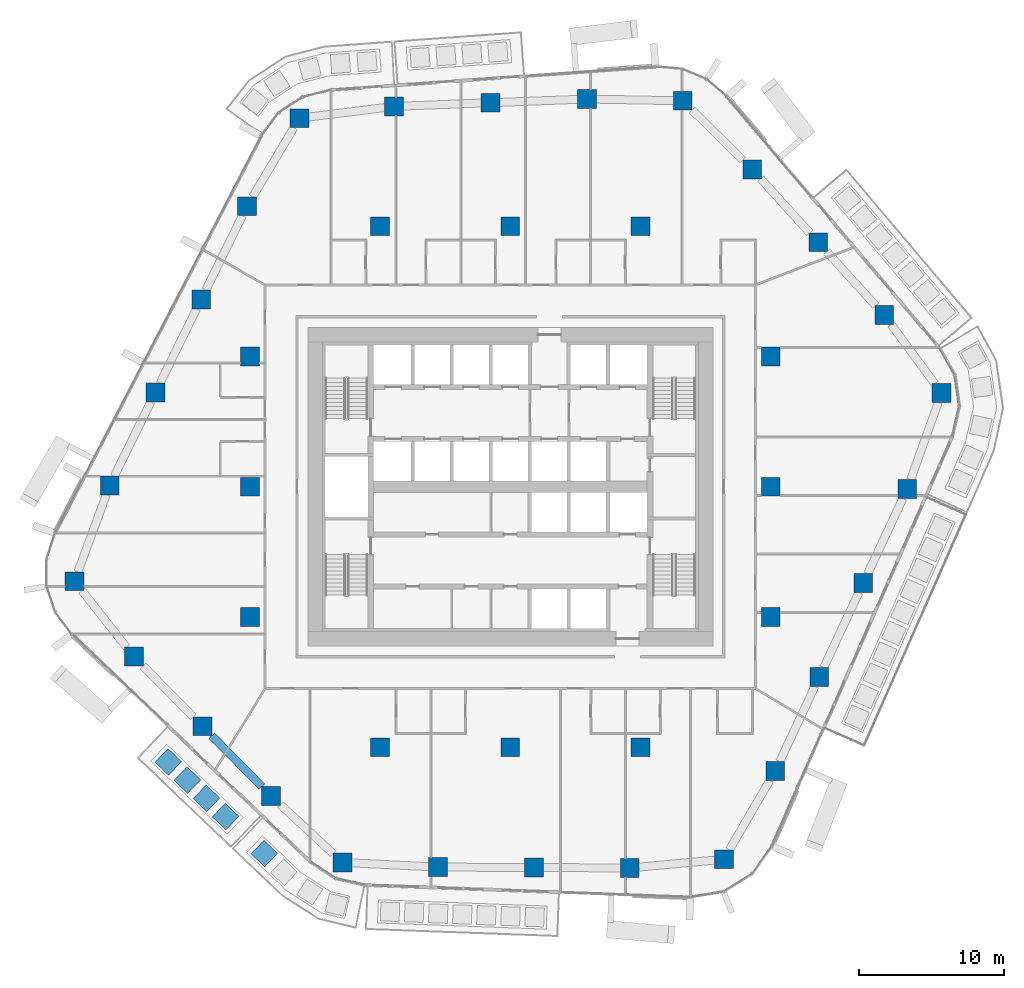
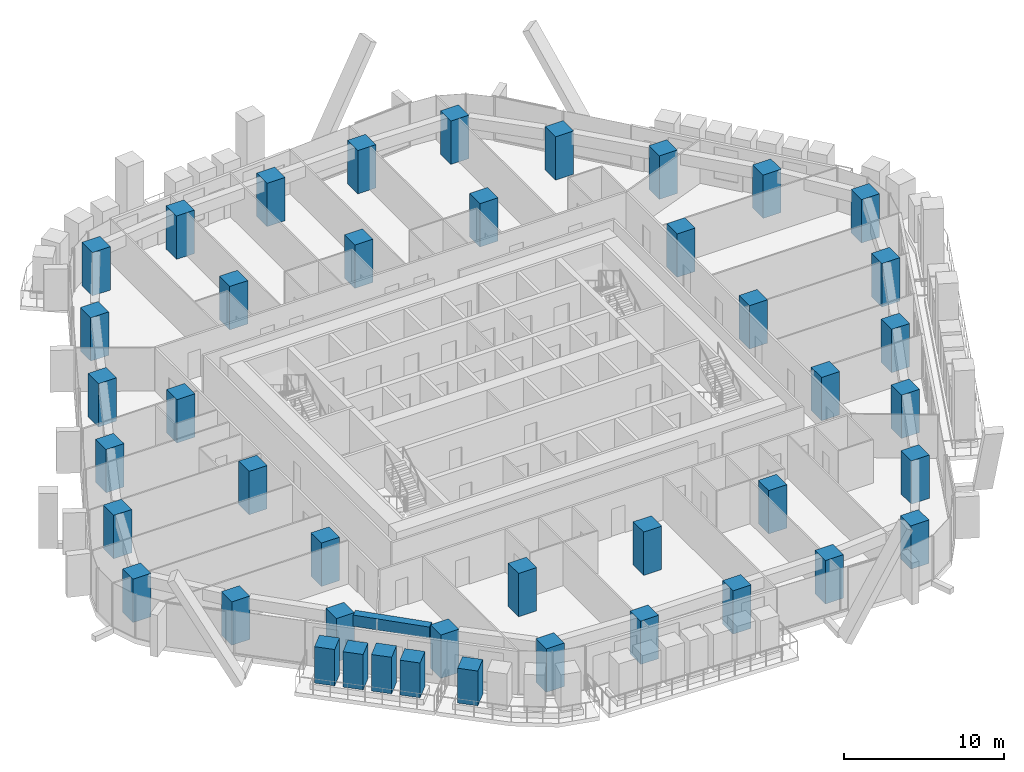
# One storey, part 1 of 24: 38 columns, 5 members, 1 beam.
"""IFC4 building model written with IfcOpenShell, lengths in metres."""

from ifc_helpers import new_model, si_unit, direction, frame, origin, origin_2d, place, context, subcontext, project, spatial, rectangle, extrude, material, material_profile, profile_set, type_object, element, save


model = new_model("IFC4")

# Units and contexts
model_context = context("Model", 3, precision=1e-05, world=origin(), true_north=direction((0.0, 1.0)))
body_context = subcontext(model_context, "Body", "Model", "MODEL_VIEW")
ifc_project = project(units=[si_unit("LENGTHUNIT", "METRE"), si_unit("AREAUNIT", "SQUARE_METRE"), si_unit("VOLUMEUNIT", "CUBIC_METRE"), si_unit("PLANEANGLEUNIT", "RADIAN"), si_unit("MASSUNIT", "GRAM", prefix="KILO")], contexts=[model_context])

# Site, building, storey
site_placement = place(None, origin())
site = spatial("IfcSite", under=ifc_project, at=site_placement, CompositionType="ELEMENT")
building_placement = place(site_placement, origin())
building = spatial("IfcBuilding", under=site, at=building_placement, Name="Dongbaek Canopy Tower", CompositionType="ELEMENT")
storey_placement = place(building_placement, frame((0.0, 0.0, 113.699951171875)))
storey = spatial("IfcBuildingStorey", under=building, at=storey_placement, Name="L24", CompositionType="ELEMENT", Elevation=113.699951171875)

# Columns
ifc_material_1 = material(Name="Concrete C80", Category="concrete")
ifc_material_profile_1 = material_profile(ifc_material_1, rectangle(XDim=1.300048828125, YDim=1.300048828125, at=origin_2d()), Name="RC COLUMN 1300x1300 C80")
ifc_profile_set_1 = profile_set([ifc_material_profile_1], Name="Concrete C80")
column_type = type_object("IfcColumnType", Name="RC COLUMN 1300x1300 C80", PredefinedType="COLUMN", material=ifc_profile_set_1)
for number, where, z_axis, x_axis, name in (
    (1, (14.760009765625, -25.7490234375, 0.0), (0.0, 0.0, 1.0), (1.0, 0.0, 0.0), "COL:CZ2-01:L24"),
    (2, (8.258056640625, -26.34912109375, 0.0), (0.0, 0.0, 1.0), (1.0, 0.0, 0.0), "COL:CZ2-02:L24"),
    (3, (1.62890625, -26.319091796875, 0.0), (0.0, 0.0, 1.0), (1.0, 0.0, 0.0), "COL:CZ2-03:L24"),
    (4, (-5.0, -26.2900390625, 0.0), (0.0, 0.0, 1.0), (1.0, 0.0, 0.0), "COL:CZ2-04:L24"),
    (5, (-11.59912109375, -25.966064453125, 0.0), (0.0, 0.0, 1.0), (1.0, 0.0, 0.0), "COL:CZ2-05:L24"),
    (6, (-16.532958984375, -21.376953125, 0.0), (0.0, 0.0, 1.0), (1.0, 0.0, 0.0), "COL:CZ2-06:L24"),
    (7, (-21.277099609375, -16.56005859375, 0.0), (0.0, 0.0, 1.0), (1.0, 0.0, 0.0), "COL:CZ2-07:L24"),
    (8, (-26.02099609375, -11.742919921875, 0.0), (0.0, 0.0, 1.0), (1.0, 0.0, 0.0), "COL:CZ2-08:L24"),
    (9, (-30.125, -6.527099609375, 0.0), (0.0, 0.0, 1.0), (1.0, 0.0, 0.0), "COL:CZ2-09:L24"),
    (10, (-27.693115234375, 0.0830078125, 0.0), (0.0, 0.0, 1.0), (1.0, 0.0, 0.0), "COL:CZ2-10:L24"),
    (11, (-24.529052734375, 6.51806640625, 0.0), (0.0, 0.0, 1.0), (1.0, 0.0, 0.0), "COL:CZ2-11:L24"),
    (12, (-21.364013671875, 12.951904296875, 0.0), (0.0, 0.0, 1.0), (1.0, 0.0, 0.0), "COL:CZ2-12:L24"),
    (13, (-18.198974609375, 19.385986328125, 0.0), (0.0, 0.0, 1.0), (1.0, 0.0, 0.0), "COL:CZ2-13:L24"),
    (14, (-14.575927734375, 25.471923828125, 0.0), (0.0, 0.0, 1.0), (1.0, 0.0, 0.0), "COL:CZ2-14:L24"),
    (15, (-8.041015625, 26.2880859375, 0.0), (0.0, 0.0, 1.0), (1.0, 0.0, 0.0), "COL:CZ2-15:L24"),
    (16, (-1.3720703125, 26.5439453125, 0.0), (0.0, 0.0, 1.0), (1.0, 0.0, 0.0), "COL:CZ2-16:L24"),
    (17, (5.294921875, 26.798095703125, 0.0), (0.0, 0.0, 1.0), (1.0, 0.0, 0.0), "COL:CZ2-17:L24"),
    (18, (11.9169921875, 26.674072265625, 0.0), (0.0, 0.0, 1.0), (1.0, 0.0, 0.0), "COL:CZ2-18:L24"),
    (19, (16.718017578125, 21.93505859375, 0.0), (0.0, 0.0, 1.0), (1.0, 0.0, 0.0), "COL:CZ2-19:L24"),
    (20, (21.280029296875, 16.89794921875, 0.0), (0.0, 0.0, 1.0), (1.0, 0.0, 0.0), "COL:CZ2-20:L24"),
    (21, (25.841064453125, 11.862060546875, 0.0), (0.0, 0.0, 1.0), (1.0, 0.0, 0.0), "COL:CZ2-21:L24"),
    (22, (29.81103515625, 6.48193359375, 0.0), (0.0, 0.0, 1.0), (1.0, 0.0, 0.0), "COL:CZ2-22:L24"),
    (23, (27.43603515625, -0.1650390625, 0.0), (0.0, 0.0, 1.0), (1.0, 0.0, 0.0), "COL:CZ2-23:L24"),
    (24, (24.39599609375, -6.656982421875, 0.0), (0.0, 0.0, 1.0), (1.0, 0.0, 0.0), "COL:CZ2-24:L24"),
    (25, (21.35595703125, -13.14990234375, 0.0), (0.0, 0.0, 1.0), (1.0, 0.0, 0.0), "COL:CZ2-25:L24"),
    (26, (18.31494140625, -19.64208984375, 0.0), (0.0, 0.0, 1.0), (1.0, 0.0, 0.0), "COL:CZ2-26:L24"),
    (27, (-18.0, -9.0, 0.0), (0.0, 0.0, 1.0), (1.0, 0.0, 0.0), "COL:CIZ2-01:L24"),
    (28, (-18.0, 0.0, 0.0), (0.0, 0.0, 1.0), (1.0, 0.0, 0.0), "COL:CIZ2-02:L24"),
    (29, (-18.0, 9.0, 0.0), (0.0, 0.0, 1.0), (1.0, 0.0, 0.0), "COL:CIZ2-03:L24"),
    (30, (-9.0, -18.0, 0.0), (0.0, 0.0, 1.0), (1.0, 0.0, 0.0), "COL:CIZ2-04:L24"),
    (31, (-9.0, 18.0, 0.0), (0.0, 0.0, 1.0), (1.0, 0.0, 0.0), "COL:CIZ2-05:L24"),
    (32, (0.0, -18.0, 0.0), (0.0, 0.0, 1.0), (1.0, 0.0, 0.0), "COL:CIZ2-06:L24"),
    (33, (0.0, 18.0, 0.0), (0.0, 0.0, 1.0), (1.0, 0.0, 0.0), "COL:CIZ2-07:L24"),
    (34, (9.0, -18.0, 0.0), (0.0, 0.0, 1.0), (1.0, 0.0, 0.0), "COL:CIZ2-08:L24"),
    (35, (9.0, 18.0, 0.0), (0.0, 0.0, 1.0), (1.0, 0.0, 0.0), "COL:CIZ2-09:L24"),
    (36, (18.0, -9.0, 0.0), (0.0, 0.0, 1.0), (1.0, 0.0, 0.0), "COL:CIZ2-10:L24"),
    (37, (18.0, 0.0, 0.0), (0.0, 0.0, 1.0), (1.0, 0.0, 0.0), "COL:CIZ2-11:L24"),
    (38, (18.0, 9.0, 0.0), (0.0, 0.0, 1.0), (1.0, 0.0, 0.0), "COL:CIZ2-12:L24"),
):
    element("IfcColumn", number, at=place(storey_placement, frame(where, z_axis=z_axis, x_axis=x_axis)), inside=storey, type_object=column_type, Name=name, PredefinedType="COLUMN", context=body_context, shape_type="SweptSolid", body=[
        extrude(rectangle(XDim=1.300048828125, YDim=1.300048828125, at=origin_2d()), origin(), (0.0, 0.0, 1.0), 3.300048828125),
    ])

# Beam
ifc_material_2 = material(Name="Concrete C80", Category="concrete")
ifc_material_profile_2 = material_profile(ifc_material_2, rectangle(XDim=0.550048828125, YDim=0.85009765625, at=origin_2d()), Name="RC EDGE BEAM 550x850 C80")
ifc_profile_set_2 = profile_set([ifc_material_profile_2], Name="Concrete C80")
beam_type = type_object("IfcBeamType", Name="RC EDGE BEAM 550x850 C80", PredefinedType="BEAM", material=ifc_profile_set_2)
beam_placement = place(storey_placement, frame((-17.173095703125, -20.72705078125, 2.875), z_axis=(-0.701695422573, 0.712477040992, 0.0), x_axis=(-0.712477040992, -0.701695422573, 0.0)))
element("IfcBeam", 39, at=beam_placement, inside=storey, type_object=beam_type, Name="EDGEBEAM:L24:05", PredefinedType="BEAM", context=body_context, shape_type="SweptSolid", body=[
    extrude(rectangle(XDim=0.550048828125, YDim=0.85009765625, at=origin_2d()), origin(), (0.0, 0.0, 1.0), 4.9365234375),
])

# Members
ifc_material_3 = material(Name="Concrete C40/50 planter mass with planting", Category="concrete")
ifc_material_profile_3 = material_profile(ifc_material_3, rectangle(XDim=1.300048828125, YDim=1.300048828125, at=origin_2d()), Name="Terrace PLANTER shrub mass 1300 x 1300")
ifc_profile_set_3 = profile_set([ifc_material_profile_3], Name="Concrete C40/50 planter mass with planting")
member_type = type_object("IfcMemberType", Name="Terrace PLANTER shrub mass 1300 x 1300", PredefinedType="USERDEFINED", material=ifc_profile_set_3)
member_1_placement = place(storey_placement, frame((-23.642578125, -19.017333984375, 0.420166015625), z_axis=(0.0, 0.0, 1.0), x_axis=(-0.690482477156, -0.723349119541, 0.0)))
element("IfcMember", 40, at=member_1_placement, inside=storey, type_object=member_type, Name="Planter shrubs L24 3.1", ObjectType="PLANTER", PredefinedType="USERDEFINED", context=body_context, shape_type="SweptSolid", body=[
    extrude(rectangle(XDim=1.300048828125, YDim=1.300048828125, at=origin_2d()), origin(), (0.0, 0.0, 1.0), 2.769775390625),
])
member_2_placement = place(storey_placement, frame((-22.322021484375, -20.27783203125, 0.420166015625), z_axis=(0.0, 0.0, 1.0), x_axis=(-0.690482477156, -0.723349119541, 0.0)))
element("IfcMember", 41, at=member_2_placement, inside=storey, type_object=member_type, Name="Planter shrubs L24 3.2", ObjectType="PLANTER", PredefinedType="USERDEFINED", context=body_context, shape_type="SweptSolid", body=[
    extrude(rectangle(XDim=1.300048828125, YDim=1.300048828125, at=origin_2d()), origin(), (0.0, 0.0, 1.0), 2.68994140625),
])
member_3_placement = place(storey_placement, frame((-21.001220703125, -21.53857421875, 0.420166015625), z_axis=(0.0, 0.0, 1.0), x_axis=(-0.690482477156, -0.723349119541, 0.0)))
element("IfcMember", 42, at=member_3_placement, inside=storey, type_object=member_type, Name="Planter shrubs L24 3.3", ObjectType="PLANTER", PredefinedType="USERDEFINED", context=body_context, shape_type="SweptSolid", body=[
    extrude(rectangle(XDim=1.300048828125, YDim=1.300048828125, at=origin_2d()), origin(), (0.0, 0.0, 1.0), 2.77978515625),
])
for number, where, z_axis, x_axis, name in (
    (43, (-19.680419921875, -22.79931640625, 0.420166015625), (0.0, 0.0, 1.0), (-0.690482477156, -0.723349119541, 0.0), "Planter shrubs L24 3.4"),
    (44, (-17.001708984375, -25.35400390625, 0.420166015625), (0.0, 0.0, 1.0), (-0.689144208119, -0.724624220142, 0.0), "Planter shrubs L24 8.1"),
):
    element("IfcMember", number, at=place(storey_placement, frame(where, z_axis=z_axis, x_axis=x_axis)), inside=storey, type_object=member_type, Name=name, ObjectType="PLANTER", PredefinedType="USERDEFINED", context=body_context, shape_type="SweptSolid", body=[
        extrude(rectangle(XDim=1.300048828125, YDim=1.300048828125, at=origin_2d()), origin(), (0.0, 0.0, 1.0), 2.64990234375),
    ])

save(model, "model.ifc")
